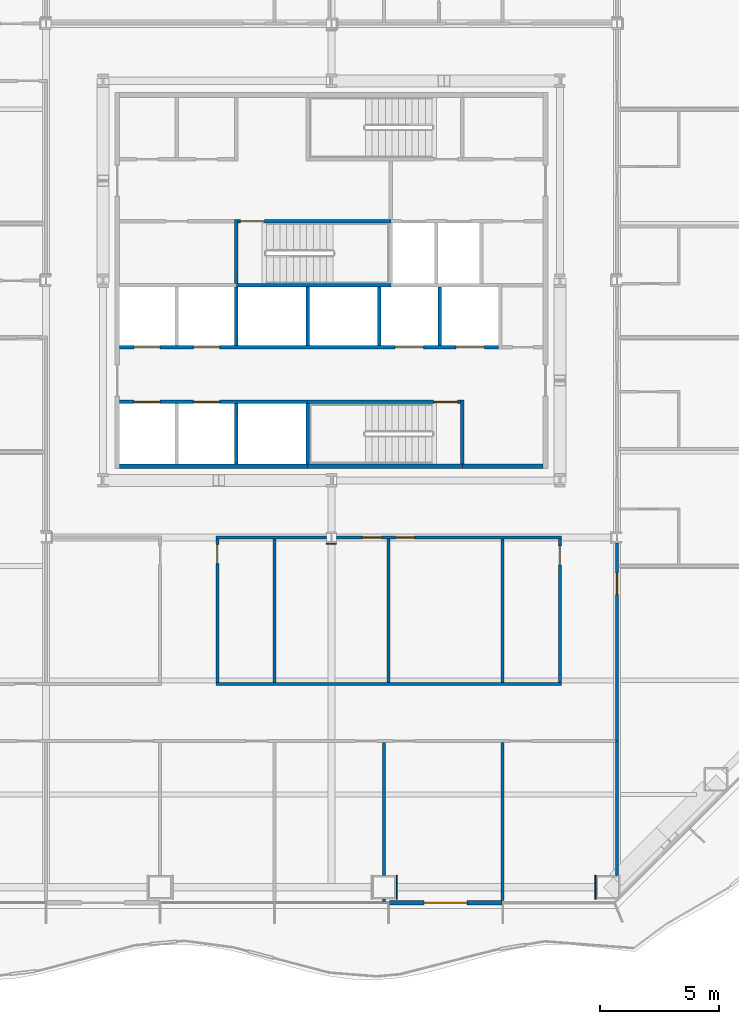
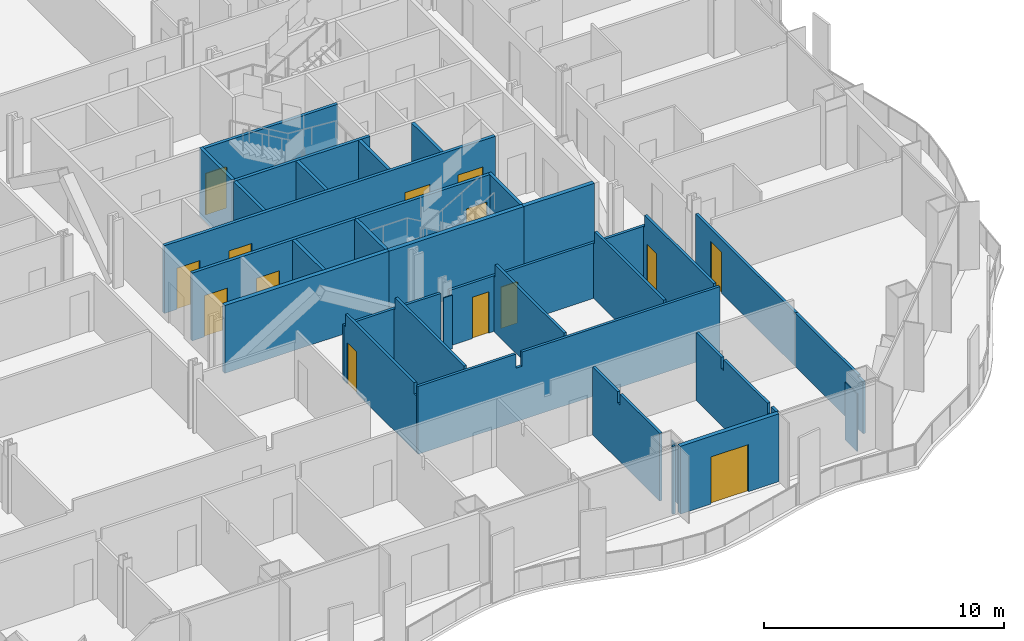
# One storey, part 10 of 21: 33 walls, 14 doors, 14 openings.
"""IFC4 building model written with IfcOpenShell, lengths in metres."""

import ifcopenshell
import ifcopenshell.guid

model = None  # the IFC model being written
_history = None  # IfcOwnerHistory: only IFC2X3 demands one
_inside = {}  # id of a spatial element -> (the spatial element, [elements in it])
_under = {}  # id of a project, library or spatial element -> (it, [spatial elements below it])
_declared = {}  # id of a project -> (the project, [libraries it declares])
_typed = {}  # id of a type object -> (the type object, [elements of that type])
_made_of = {}  # id of a material, layer set ... -> (it, [elements and type objects made of it])


def new_model(schema):
    """Start an empty IFC model of exactly this schema.

    Asked for "IFC4X3", IfcOpenShell would pick the latest addendum, in which some entities
    have other attributes; the version numbers below select the first issue.
    IFC2X3 requires an IfcOwnerHistory on every rooted entity: one is made here for all.
    """
    global model, _history
    if schema == "IFC4X3":
        model = ifcopenshell.file(schema_version=(4, 3, 0, 0))
    else:
        model = ifcopenshell.file(schema=schema)
    _inside.clear()
    _under.clear()
    _declared.clear()
    _typed.clear()
    _made_of.clear()
    _history = None
    if model.schema == "IFC2X3":
        org = make("IfcOrganization", Name="unknown")
        user = make(
            "IfcPersonAndOrganization",
            ThePerson=make("IfcPerson", FamilyName="unknown"),
            TheOrganization=org,
        )
        app = make(
            "IfcApplication",
            ApplicationDeveloper=org,
            Version="unknown",
            ApplicationFullName="unknown",
            ApplicationIdentifier="unknown",
        )
        _history = make(
            "IfcOwnerHistory",
            OwningUser=user,
            OwningApplication=app,
            ChangeAction="ADDED",
            CreationDate=0,
        )
    return model


def make(cls, **values):
    """One entity of the class cls with the attributes given. An attribute that is None is left unset."""
    return model.create_entity(
        cls, **{name: value for name, value in values.items() if value is not None}
    )


def rooted(cls, **values):
    """An entity with a GlobalId (a new one), such as an element, a storey or a relation."""
    return make(cls, GlobalId=ifcopenshell.guid.new(), OwnerHistory=_history, **values)


def si_unit(unit_type, name, prefix=None):
    """IfcSIUnit, for example si_unit("LENGTHUNIT", "METRE", prefix="MILLI")."""
    return make("IfcSIUnit", UnitType=unit_type, Prefix=prefix, Name=name)


def assignment(units):
    """IfcUnitAssignment: the units of a project."""
    return None if units is None else make("IfcUnitAssignment", Units=units)


def point(xyz):
    """IfcCartesianPoint."""
    return None if xyz is None else make("IfcCartesianPoint", Coordinates=xyz)


def direction(xyz):
    """IfcDirection."""
    return None if xyz is None else make("IfcDirection", DirectionRatios=xyz)


def frame(location, z_axis=None, x_axis=None):
    """IfcAxis2Placement3D, a coordinate frame: its origin and axes. An axis left out is left unset."""
    return make(
        "IfcAxis2Placement3D",
        Location=point(location),
        Axis=direction(z_axis),
        RefDirection=direction(x_axis),
    )


def frame_2d(location, x_axis=None):
    """IfcAxis2Placement2D, a coordinate frame in the plane: its origin and x axis."""
    return make(
        "IfcAxis2Placement2D", Location=point(location), RefDirection=direction(x_axis)
    )


def origin():
    """The frame at (0, 0, 0) with its axes left unset."""
    return frame((0.0, 0.0, 0.0))


def place(relative_to, where):
    """IfcLocalPlacement: puts the frame where relative to a parent placement (None: the world)."""
    return make(
        "IfcLocalPlacement", PlacementRelTo=relative_to, RelativePlacement=where
    )


def context(
    kind, dimensions, precision=None, world=None, true_north=None, identifier=None
):
    """IfcGeometricRepresentationContext, for example the 3D "Model" context."""
    return make(
        "IfcGeometricRepresentationContext",
        ContextIdentifier=identifier,
        ContextType=kind,
        CoordinateSpaceDimension=dimensions,
        Precision=precision,
        WorldCoordinateSystem=world,
        TrueNorth=true_north,
    )


def subcontext(parent, identifier, kind, view, scale=None):
    """IfcGeometricRepresentationSubContext, for example "Body" below "Model"."""
    return make(
        "IfcGeometricRepresentationSubContext",
        ContextIdentifier=identifier,
        ContextType=kind,
        ParentContext=parent,
        TargetScale=scale,
        TargetView=view,
    )


def project(units=None, contexts=None):
    """IfcProject with its units and contexts."""
    return rooted(
        "IfcProject",
        Name="project",
        RepresentationContexts=contexts,
        UnitsInContext=assignment(units),
    )


def spatial(cls, under=None, at=None, **own):
    """A site, building, storey or space (cls), placed at a placement, below another one or the project."""
    s = rooted(cls, ObjectPlacement=at, **own)
    if under is not None:
        _under.setdefault(under.id(), (under, []))[1].append(s)
    return s


def polyline(points):
    """IfcPolyline through the points."""
    return make("IfcPolyline", Points=[point(p) for p in points])


def profile(cls, at=None, kind="AREA", **sizes):
    """A parametric profile (cls). Its sizes go by their IFC names, for example OverallWidth=200.0."""
    return make(cls, ProfileType=kind, Position=at, **sizes)


def rectangle(**sizes):
    """IfcRectangleProfileDef."""
    return profile("IfcRectangleProfileDef", **sizes)


def outline(outer, holes=None, kind="AREA"):
    """IfcArbitraryClosedProfileDef: a profile drawn as a closed curve; with holes, ...WithVoids."""
    if holes is None:
        return make("IfcArbitraryClosedProfileDef", ProfileType=kind, OuterCurve=outer)
    return make(
        "IfcArbitraryProfileDefWithVoids",
        ProfileType=kind,
        OuterCurve=outer,
        InnerCurves=holes,
    )


def extrude(swept, where, along, depth):
    """IfcExtrudedAreaSolid: the profile swept, set in the frame where, extruded along a direction by depth."""
    return make(
        "IfcExtrudedAreaSolid",
        SweptArea=swept,
        Position=where,
        ExtrudedDirection=direction(along),
        Depth=depth,
    )


def shape(context_of_items, identifier, shape_type, items):
    """IfcShapeRepresentation: the items that make up one representation, for example the "Body"."""
    return make(
        "IfcShapeRepresentation",
        ContextOfItems=context_of_items,
        RepresentationIdentifier=identifier,
        RepresentationType=shape_type,
        Items=items,
    )


def material(Name=None, Category=None):
    """IfcMaterial."""
    return make("IfcMaterial", Name=Name, Category=Category)


def layer(
    of_material, thickness, ventilated=None, Name=None, Category=None, Priority=None
):
    """IfcMaterialLayer: one layer of a wall or slab, of a material (None: an air gap)."""
    return make(
        "IfcMaterialLayer",
        Material=of_material,
        LayerThickness=thickness,
        IsVentilated=ventilated,
        Name=Name,
        Category=Category,
        Priority=Priority,
    )


def layer_set(layers, Name=None):
    """IfcMaterialLayerSet."""
    return make("IfcMaterialLayerSet", MaterialLayers=layers, LayerSetName=Name)


def made_of(thing, what):
    """Note that an element or type object is made of a material, layer set ...; save() writes the relation."""
    if what is not None:
        _made_of.setdefault(what.id(), (what, []))[1].append(thing)
    return thing


def type_object(cls, material=None, **own):
    """A type object (cls), such as IfcWallType, which elements share."""
    return made_of(rooted(cls, **own), material)


def element(
    cls,
    number,
    at=None,
    inside=None,
    cuts=None,
    type_object=None,
    material=None,
    context=None,
    identifier="Body",
    shape_type=None,
    held_by="IfcProductDefinitionShape",
    body=None,
    shapes=None,
    **own,
):
    """One element of the class cls, such as IfcWall. Its Tag is "e" and its number.

    at: its placement. inside: the storey or other place that contains it. cuts: it is an
    opening in that element (IfcRelVoidsElement). A single representation is given by context,
    identifier, shape_type and body (its items); several are given by shapes. held_by: the class
    of the entity that holds the representations. save() writes the other relations.
    """
    e = rooted(cls, Tag="e%d" % number, ObjectPlacement=at, **own)
    if body is not None:
        shapes = [shape(context, identifier, shape_type, body)]
    if shapes is not None:
        e.Representation = make(held_by, Representations=shapes)
    if inside is not None:
        _inside.setdefault(inside.id(), (inside, []))[1].append(e)
    if cuts is not None:
        rooted(
            "IfcRelVoidsElement", RelatingBuildingElement=cuts, RelatedOpeningElement=e
        )
    if type_object is not None:
        _typed.setdefault(type_object.id(), (type_object, []))[1].append(e)
    return made_of(e, material)


def fill(opening, filler):
    """IfcRelFillsElement: the door or window that sits in an opening."""
    return rooted(
        "IfcRelFillsElement",
        RelatingOpeningElement=opening,
        RelatedBuildingElement=filler,
    )


def aggregate(whole, parts):
    """IfcRelAggregates: a whole, such as a stair, and the parts it consists of."""
    return rooted("IfcRelAggregates", RelatingObject=whole, RelatedObjects=parts)


def save(model, path):
    """Write the relations noted so far, then the file.

    IfcRelAggregates (storeys below a building ...), IfcRelContainedInSpatialStructure (elements
    in a storey), IfcRelDefinesByType, IfcRelAssociatesMaterial and IfcRelDeclares: one each for
    every whole, place, type object, material and project.
    """
    for whole, parts in _under.values():
        aggregate(whole, parts)
    for where, things in _inside.values():
        rooted(
            "IfcRelContainedInSpatialStructure",
            RelatedElements=things,
            RelatingStructure=where,
        )
    for kind, things in _typed.values():
        rooted("IfcRelDefinesByType", RelatedObjects=things, RelatingType=kind)
    for what, things in _made_of.values():
        rooted("IfcRelAssociatesMaterial", RelatedObjects=things, RelatingMaterial=what)
    for by, libraries in _declared.values():
        rooted("IfcRelDeclares", RelatingContext=by, RelatedDefinitions=libraries)
    model.write(path)


model = new_model("IFC4")

# Units and contexts
model_context = context("Model", 3, precision=1e-05, world=origin(), true_north=direction((0.0, 1.0)))
body_context = subcontext(model_context, "Body", "Model", "MODEL_VIEW")
ifc_project = project(units=[si_unit("LENGTHUNIT", "METRE"), si_unit("AREAUNIT", "SQUARE_METRE"), si_unit("VOLUMEUNIT", "CUBIC_METRE"), si_unit("PLANEANGLEUNIT", "RADIAN"), si_unit("MASSUNIT", "GRAM", prefix="KILO")], contexts=[model_context])

# Site, building, storey
site_placement = place(None, origin())
site = spatial("IfcSite", under=ifc_project, at=site_placement, CompositionType="ELEMENT")
building_placement = place(site_placement, origin())
building = spatial("IfcBuilding", under=site, at=building_placement, Name="Cairn Pilgrim Tower", CompositionType="ELEMENT")
storey_placement = place(building_placement, frame((0.0, 0.0, 58.199951171875)))
storey = spatial("IfcBuildingStorey", under=building, at=storey_placement, Name="L12", CompositionType="ELEMENT", Elevation=58.199951171875)

# Wall, opening, door
ifc_material_1 = material(Name="Bronze anodised aluminium insulated sandwich panel with mineral wool fill", Category="aluminium")
ifc_layer_1 = layer(ifc_material_1, 0.199951171875)
ifc_layer_set_1 = layer_set([ifc_layer_1], Name="BRONZE INFILL FRAME WALL 200")
wall_type_1 = type_object("IfcWallType", Name="BRONZE INFILL FRAME WALL 200", PredefinedType="NOTDEFINED", material=ifc_layer_set_1)
wall_1_placement = place(storey_placement, frame((9.6298828125, -23.75, 0.0), z_axis=(0.0, 0.0, 1.0), x_axis=(1.0, 0.0, 0.0)))
wall_1 = element("IfcWall", 1, at=wall_1_placement, inside=storey, type_object=wall_type_1, Name="Bronze infill frame wall IW-S7", PredefinedType="NOTDEFINED", context=body_context, shape_type="SweptSolid", body=[
    extrude(rectangle(XDim=4.740234375, YDim=0.199951171875, at=frame_2d((2.3701171875, 0.0))), origin(), (0.0, 0.0, 1.0), 3.449951171875),
])
opening_1_placement = place(wall_1_placement, frame((1.469970703125, 0.0, 0.0)))
opening_1 = element("IfcOpeningElement", 2, at=opening_1_placement, cuts=wall_1, Name="Opening 1207B", PredefinedType="OPENING", context=body_context, shape_type="SweptSolid", body=[
    extrude(rectangle(XDim=1.800048828125, YDim=2.39990234375, at=frame_2d((0.89990234375, 1.199951171875))), frame((0.0, 0.10986328125, 0.0), z_axis=(0.0, -1.0, 0.0), x_axis=(1.0, 0.0, 0.0)), (0.0, 0.0, 1.0), 0.219970703125),
])
ifc_material_2 = material(Name="Bronze anodised aluminium frame with tinted low-E glass", Category="aluminium")
door_type_1 = type_object("IfcDoorType", Name="BALCONY SLIDING DOOR 1800x2400", OperationType="DOUBLE_DOOR_SLIDING", PredefinedType="DOOR", material=ifc_material_2)
door_1_placement = place(opening_1_placement, origin())
door_1 = element("IfcDoor", 3, at=door_1_placement, inside=storey, type_object=door_type_1, Name="Balcony sliding door 1207B", OperationType="SINGLE_SWING_LEFT", OverallHeight=2.39990234375, OverallWidth=1.800048828125, PredefinedType="DOOR", context=body_context, shape_type="SweptSolid", body=[
    extrude(rectangle(XDim=1.800048828125, YDim=2.39990234375, at=frame_2d((0.89990234375, 1.199951171875))), frame((0.0, 0.02490234375, 0.0), z_axis=(0.0, -1.0, 0.0), x_axis=(1.0, 0.0, 0.0)), (0.0, 0.0, 1.0), 0.050048828125),
])
fill(opening_1, door_1)

# Walls
ifc_material_3 = material(Name="Concrete C32/40", Category="concrete")
ifc_layer_2 = layer(ifc_material_3, 0.199951171875)
ifc_layer_set_2 = layer_set([ifc_layer_2], Name="CORE OUTER WALL 200 EI 120")
wall_type_2 = type_object("IfcWallType", Name="CORE OUTER WALL 200 EI 120", PredefinedType="SOLIDWALL", material=ifc_layer_set_2)
wall_2_placement = place(storey_placement, frame((-1.699951171875, -5.39990234375, 0.0), z_axis=(0.0, 0.0, 1.0), x_axis=(1.0, 0.0, 0.0)))
element("IfcWall", 4, at=wall_2_placement, inside=storey, type_object=wall_type_2, Name="CW:L12:H01-1", PredefinedType="SOLIDWALL", context=body_context, shape_type="SweptSolid", body=[
    extrude(rectangle(XDim=7.89990234375, YDim=0.199951171875, at=frame_2d((3.949951171875, 0.0))), origin(), (0.0, 0.0, 1.0), 3.449951171875),
])
wall_3_placement = place(storey_placement, frame((12.699951171875, -5.39990234375, 0.0), z_axis=(0.0, 0.0, 1.0), x_axis=(1.0, 0.0, 0.0)))
element("IfcWall", 5, at=wall_3_placement, inside=storey, type_object=wall_type_2, Name="CW:L12:H01-3", PredefinedType="SOLIDWALL", context=body_context, shape_type="SweptSolid", body=[
    extrude(rectangle(XDim=3.400146484375, YDim=0.199951171875, at=frame_2d((1.7001953125, 0.0))), origin(), (0.0, 0.0, 1.0), 3.449951171875),
])

# Wall, openings, doors
ifc_layer_3 = layer(ifc_material_3, 0.14990234375)
ifc_layer_set_3 = layer_set([ifc_layer_3], Name="CORE SHAFT WALL 150 EI 120")
wall_type_3 = type_object("IfcWallType", Name="CORE SHAFT WALL 150 EI 120", PredefinedType="SOLIDWALL", material=ifc_layer_set_3)
wall_4_placement = place(storey_placement, frame((-1.699951171875, -2.699951171875, 0.0), z_axis=(0.0, 0.0, 1.0), x_axis=(1.0, 0.0, 0.0)))
wall_4 = element("IfcWall", 6, at=wall_4_placement, inside=storey, type_object=wall_type_3, Name="CW:L12:H02-1", PredefinedType="SOLIDWALL", context=body_context, shape_type="SweptSolid", body=[
    extrude(rectangle(XDim=7.89990234375, YDim=0.14990234375, at=frame_2d((3.949951171875, 0.0))), origin(), (0.0, 0.0, 1.0), 3.449951171875),
])
opening_2_placement = place(wall_4_placement, frame((0.60009765625, 0.0, 0.0)))
opening_2 = element("IfcOpeningElement", 7, at=opening_2_placement, cuts=wall_4, Name="Opening LD-LR1", PredefinedType="OPENING", context=body_context, shape_type="SweptSolid", body=[
    extrude(rectangle(XDim=1.10009765625, YDim=2.10009765625, at=frame_2d((0.550048828125, 1.050048828125))), frame((0.0, 0.0849609375, 0.0), z_axis=(0.0, -1.0, 0.0), x_axis=(1.0, 0.0, 0.0)), (0.0, 0.0, 1.0), 0.169921875),
])
opening_3_placement = place(wall_4_placement, frame((3.10009765625, 0.0, 0.0)))
opening_3 = element("IfcOpeningElement", 8, at=opening_3_placement, cuts=wall_4, Name="Opening LD-LR2", PredefinedType="OPENING", context=body_context, shape_type="SweptSolid", body=[
    extrude(rectangle(XDim=1.10009765625, YDim=2.10009765625, at=frame_2d((0.550048828125, 1.050048828125))), frame((0.0, 0.0849609375, 0.0), z_axis=(0.0, -1.0, 0.0), x_axis=(1.0, 0.0, 0.0)), (0.0, 0.0, 1.0), 0.169921875),
])
ifc_material_4 = material(Name="Stainless steel", Category="steel")
door_type_2 = type_object("IfcDoorType", Name="LIFT LANDING DOOR 1100x2100", OperationType="DOUBLE_DOOR_SLIDING", PredefinedType="DOOR", material=ifc_material_4)
door_2_placement = place(opening_2_placement, origin())
door_2 = element("IfcDoor", 9, at=door_2_placement, inside=storey, type_object=door_type_2, Name="LANDING DOOR LR1", OperationType="DOUBLE_DOOR_SLIDING", OverallHeight=2.10009765625, OverallWidth=1.10009765625, PredefinedType="DOOR", context=body_context, shape_type="SweptSolid", body=[
    extrude(rectangle(XDim=1.10009765625, YDim=2.10009765625, at=frame_2d((0.550048828125, 1.050048828125))), frame((0.0, 0.02490234375, 0.0), z_axis=(0.0, -1.0, 0.0), x_axis=(1.0, 0.0, 0.0)), (0.0, 0.0, 1.0), 0.050048828125),
])
fill(opening_2, door_2)
door_3_placement = place(opening_3_placement, origin())
door_3 = element("IfcDoor", 10, at=door_3_placement, inside=storey, type_object=door_type_2, Name="LANDING DOOR LR2", OperationType="DOUBLE_DOOR_SLIDING", OverallHeight=2.10009765625, OverallWidth=1.10009765625, PredefinedType="DOOR", context=body_context, shape_type="SweptSolid", body=[
    extrude(rectangle(XDim=1.10009765625, YDim=2.10009765625, at=frame_2d((0.550048828125, 1.050048828125))), frame((0.0, 0.02490234375, 0.0), z_axis=(0.0, -1.0, 0.0), x_axis=(1.0, 0.0, 0.0)), (0.0, 0.0, 1.0), 0.050048828125),
])
fill(opening_3, door_3)

wall_5_placement = place(storey_placement, frame((-1.699951171875, -0.39990234375, 0.0), z_axis=(0.0, 0.0, 1.0), x_axis=(1.0, 0.0, 0.0)))
wall_5 = element("IfcWall", 11, at=wall_5_placement, inside=storey, type_object=wall_type_3, Name="CW:L12:H03", PredefinedType="SOLIDWALL", context=body_context, shape_type="SweptSolid", body=[
    extrude(rectangle(XDim=15.925048828125, YDim=0.14990234375, at=frame_2d((7.96240234375, 0.0))), origin(), (0.0, 0.0, 1.0), 3.449951171875),
])
opening_4_placement = place(wall_5_placement, frame((0.60009765625, 0.0, 0.0)))
opening_4 = element("IfcOpeningElement", 12, at=opening_4_placement, cuts=wall_5, Name="Opening LD-LR3", PredefinedType="OPENING", context=body_context, shape_type="SweptSolid", body=[
    extrude(rectangle(XDim=1.10009765625, YDim=2.10009765625, at=frame_2d((0.550048828125, 1.050048828125))), frame((0.0, 0.0849609375, 0.0), z_axis=(0.0, -1.0, 0.0), x_axis=(1.0, 0.0, 0.0)), (0.0, 0.0, 1.0), 0.169921875),
])
opening_5_placement = place(wall_5_placement, frame((3.10009765625, 0.0, 0.0)))
opening_5 = element("IfcOpeningElement", 13, at=opening_5_placement, cuts=wall_5, Name="Opening LD-LR4", PredefinedType="OPENING", context=body_context, shape_type="SweptSolid", body=[
    extrude(rectangle(XDim=1.10009765625, YDim=2.10009765625, at=frame_2d((0.550048828125, 1.050048828125))), frame((0.0, 0.0849609375, 0.0), z_axis=(0.0, -1.0, 0.0), x_axis=(1.0, 0.0, 0.0)), (0.0, 0.0, 1.0), 0.169921875),
])
opening_6_placement = place(wall_5_placement, frame((11.574951171875, 0.0, 0.0)))
opening_6 = element("IfcOpeningElement", 14, at=opening_6_placement, cuts=wall_5, Name="Opening LD-SV1", PredefinedType="OPENING", context=body_context, shape_type="SweptSolid", body=[
    extrude(rectangle(XDim=1.199951171875, YDim=2.10009765625, at=frame_2d((0.60009765625, 1.050048828125))), frame((0.0, 0.0849609375, 0.0), z_axis=(0.0, -1.0, 0.0), x_axis=(1.0, 0.0, 0.0)), (0.0, 0.0, 1.0), 0.169921875),
])
opening_7_placement = place(wall_5_placement, frame((14.125, 0.0, 0.0)))
opening_7 = element("IfcOpeningElement", 15, at=opening_7_placement, cuts=wall_5, Name="Opening LD-SV2", PredefinedType="OPENING", context=body_context, shape_type="SweptSolid", body=[
    extrude(rectangle(XDim=1.199951171875, YDim=2.10009765625, at=frame_2d((0.60009765625, 1.050048828125))), frame((0.0, 0.0849609375, 0.0), z_axis=(0.0, -1.0, 0.0), x_axis=(1.0, 0.0, 0.0)), (0.0, 0.0, 1.0), 0.169921875),
])
door_4_placement = place(opening_4_placement, origin())
door_4 = element("IfcDoor", 16, at=door_4_placement, inside=storey, type_object=door_type_2, Name="LANDING DOOR LR3", OperationType="DOUBLE_DOOR_SLIDING", OverallHeight=2.10009765625, OverallWidth=1.10009765625, PredefinedType="DOOR", context=body_context, shape_type="SweptSolid", body=[
    extrude(rectangle(XDim=1.10009765625, YDim=2.10009765625, at=frame_2d((0.550048828125, 1.050048828125))), frame((0.0, 0.02490234375, 0.0), z_axis=(0.0, -1.0, 0.0), x_axis=(1.0, 0.0, 0.0)), (0.0, 0.0, 1.0), 0.050048828125),
])
fill(opening_4, door_4)
door_5_placement = place(opening_5_placement, origin())
door_5 = element("IfcDoor", 17, at=door_5_placement, inside=storey, type_object=door_type_2, Name="LANDING DOOR LR4", OperationType="DOUBLE_DOOR_SLIDING", OverallHeight=2.10009765625, OverallWidth=1.10009765625, PredefinedType="DOOR", context=body_context, shape_type="SweptSolid", body=[
    extrude(rectangle(XDim=1.10009765625, YDim=2.10009765625, at=frame_2d((0.550048828125, 1.050048828125))), frame((0.0, 0.02490234375, 0.0), z_axis=(0.0, -1.0, 0.0), x_axis=(1.0, 0.0, 0.0)), (0.0, 0.0, 1.0), 0.050048828125),
])
fill(opening_5, door_5)
door_type_3 = type_object("IfcDoorType", Name="LIFT LANDING DOOR 1200x2100", OperationType="DOUBLE_DOOR_SLIDING", PredefinedType="DOOR", material=ifc_material_4)
door_6_placement = place(opening_6_placement, origin())
door_6 = element("IfcDoor", 18, at=door_6_placement, inside=storey, type_object=door_type_3, Name="LANDING DOOR SV1", OperationType="DOUBLE_DOOR_SLIDING", OverallHeight=2.10009765625, OverallWidth=1.199951171875, PredefinedType="DOOR", context=body_context, shape_type="SweptSolid", body=[
    extrude(rectangle(XDim=1.199951171875, YDim=2.10009765625, at=frame_2d((0.60009765625, 1.050048828125))), frame((0.0, 0.02490234375, 0.0), z_axis=(0.0, -1.0, 0.0), x_axis=(1.0, 0.0, 0.0)), (0.0, 0.0, 1.0), 0.050048828125),
])
fill(opening_6, door_6)
door_7_placement = place(opening_7_placement, origin())
door_7 = element("IfcDoor", 19, at=door_7_placement, inside=storey, type_object=door_type_3, Name="LANDING DOOR SV2", OperationType="DOUBLE_DOOR_SLIDING", OverallHeight=2.10009765625, OverallWidth=1.199951171875, PredefinedType="DOOR", context=body_context, shape_type="SweptSolid", body=[
    extrude(rectangle(XDim=1.199951171875, YDim=2.10009765625, at=frame_2d((0.60009765625, 1.050048828125))), frame((0.0, 0.02490234375, 0.0), z_axis=(0.0, -1.0, 0.0), x_axis=(1.0, 0.0, 0.0)), (0.0, 0.0, 1.0), 0.050048828125),
])
fill(opening_7, door_7)

# Walls
wall_6_placement = place(storey_placement, frame((3.199951171875, -5.300048828125, 0.0), z_axis=(0.0, 0.0, 1.0), x_axis=(0.0, 1.0, 0.0)))
element("IfcWall", 20, at=wall_6_placement, inside=storey, type_object=wall_type_3, Name="CW:L12:V16", PredefinedType="SOLIDWALL", context=body_context, shape_type="SweptSolid", body=[
    extrude(rectangle(XDim=2.525146484375, YDim=0.14990234375, at=frame_2d((1.2626953125, 0.0))), origin(), (0.0, 0.0, 1.0), 3.449951171875),
])
for number, where, z_axis, x_axis, name in (
    (21, (3.199951171875, -0.324951171875, 0.0), (0.0, 0.0, 1.0), (0.0, 1.0, 0.0), "CW:L12:V17"),
    (22, (6.199951171875, -0.324951171875, 0.0), (0.0, 0.0, 1.0), (0.0, 1.0, 0.0), "CW:L12:V21"),
    (23, (9.199951171875, -0.324951171875, 0.0), (0.0, 0.0, 1.0), (0.0, 1.0, 0.0), "CW:L12:V23"),
    (24, (11.75, -0.324951171875, 0.0), (0.0, 0.0, 1.0), (0.0, 1.0, 0.0), "CW:L12:V27"),
):
    element("IfcWall", number, at=place(storey_placement, frame(where, z_axis=z_axis, x_axis=x_axis)), inside=storey, type_object=wall_type_3, Name=name, PredefinedType="SOLIDWALL", context=body_context, shape_type="SweptSolid", body=[
        extrude(rectangle(XDim=2.449951171875, YDim=0.14990234375, at=frame_2d((1.22509765625, 0.0))), origin(), (0.0, 0.0, 1.0), 3.449951171875),
    ])
ifc_material_5 = material(Name="Gypsum partition")
ifc_layer_4 = layer(ifc_material_5, 0.125)
ifc_layer_set_4 = layer_set([ifc_layer_4], Name="PARTITION 125 DRYWALL EI 60")
wall_type_4 = type_object("IfcWallType", Name="PARTITION 125 DRYWALL EI 60", PredefinedType="PARTITIONING", material=ifc_layer_set_4)
wall_7_placement = place(storey_placement, frame((9.4140625, -23.702880859375, 0.0), z_axis=(0.0, 0.0, 1.0), x_axis=(0.0, 1.0, 0.0)))
element("IfcWall", 25, at=wall_7_placement, inside=storey, type_object=wall_type_4, Name="PARTITION W005", PredefinedType="PARTITIONING", context=body_context, shape_type="SweptSolid", body=[
    extrude(rectangle(XDim=0.102783203125, YDim=0.125, at=frame_2d((0.05126953125, 0.0))), origin(), (0.0, 0.0, 1.0), 3.449951171875),
])
wall_8_placement = place(storey_placement, frame((14.39990234375, -23.64990234375, 0.0), z_axis=(0.0, 0.0, 1.0), x_axis=(0.0, 1.0, 0.0)))
element("IfcWall", 26, at=wall_8_placement, inside=storey, type_object=wall_type_4, Name="PARTITION W006", PredefinedType="PARTITIONING", context=body_context, shape_type="SweptSolid", body=[
    extrude(outline(polyline([(0.0, 0.0), (6.637451171875, 0.0), (6.637451171875, 3.449951171875), (4.554931640625, 3.449951171875), (4.552978515625, 2.880126953125), (4.344970703125, 2.880126953125), (4.343017578125, 3.449951171875), (0.699951171875, 3.449951171875), (0.697998046875, 2.929931640625), (0.39990234375, 2.929931640625), (0.39794921875, 3.449951171875), (0.0, 3.449951171875), (0.0, 0.0)])), frame((0.0, 0.0625, 0.0), z_axis=(0.0, -1.0, 0.0), x_axis=(1.0, 0.0, 0.0)), (0.0, 0.0, 1.0), 0.125),
])
wall_9_placement = place(storey_placement, frame((9.4140625, -22.60009765625, 0.0), z_axis=(0.0, 0.0, 1.0), x_axis=(0.0, 1.0, 0.0)))
element("IfcWall", 27, at=wall_9_placement, inside=storey, type_object=wall_type_4, Name="PARTITION W009", PredefinedType="PARTITIONING", context=body_context, shape_type="SweptSolid", body=[
    extrude(outline(polyline([(0.0, 0.0), (5.587646484375, 0.0), (5.58740234375, 3.449951171875), (3.5048828125, 3.449951171875), (3.5029296875, 2.880126953125), (3.294921875, 2.880126953125), (3.29296875, 3.449951171875), (0.0, 3.449951171875), (0.0, 0.0)])), frame((0.0, 0.0625, 0.0), z_axis=(0.0, -1.0, 0.0), x_axis=(1.0, 0.0, 0.0)), (0.0, 0.0, 1.0), 0.125),
])
wall_10_placement = place(storey_placement, frame((19.199951171875, -22.60009765625, 0.0), z_axis=(0.0, 0.0, 1.0), x_axis=(0.0, 1.0, 0.0)))
element("IfcWall", 28, at=wall_10_placement, inside=storey, type_object=wall_type_4, Name="PARTITION W010", PredefinedType="PARTITIONING", context=body_context, shape_type="SweptSolid", body=[
    extrude(outline(polyline([(0.0, 0.0), (5.650146484375, 0.0), (5.64990234375, 2.72998046875), (0.430419921875, 2.72998046875), (0.42822265625, 2.630126953125), (0.0, 2.630126953125), (0.0, 0.0)])), frame((0.0, 0.0625, 0.0), z_axis=(0.0, -1.0, 0.0), x_axis=(1.0, 0.0, 0.0)), (0.0, 0.0, 1.0), 0.125),
])

# Wall, opening, door
wall_11_placement = place(storey_placement, frame((19.199951171875, -16.949951171875, 0.0), z_axis=(0.0, 0.0, 1.0), x_axis=(0.0, 1.0, 0.0)))
wall_11 = element("IfcWall", 29, at=wall_11_placement, inside=storey, type_object=wall_type_4, Name="PARTITION W015", PredefinedType="PARTITIONING", context=body_context, shape_type="SweptSolid", body=[
    extrude(rectangle(XDim=8.31298828125, YDim=0.125, at=frame_2d((4.156494140625, 0.0))), origin(), (0.0, 0.0, 1.0), 2.72998046875),
])
opening_8_placement = place(wall_11_placement, frame((6.14990234375, 0.0, 0.0)))
opening_8 = element("IfcOpeningElement", 30, at=opening_8_placement, cuts=wall_11, Name="Opening 1222", PredefinedType="OPENING", context=body_context, shape_type="SweptSolid", body=[
    extrude(rectangle(XDim=0.89990234375, YDim=2.10009765625, at=frame_2d((0.449951171875, 1.050048828125))), frame((0.0, 0.072509765625, 0.0), z_axis=(0.0, -1.0, 0.0), x_axis=(1.0, 0.0, 0.0)), (0.0, 0.0, 1.0), 0.14501953125),
])
ifc_material_6 = material(Name="Steel-faced fire door leaf", Category="steel")
door_type_4 = type_object("IfcDoorType", Name="FIRE DOOR 900x2100 FD30S", OperationType="NOTDEFINED", PredefinedType="DOOR", material=ifc_material_6)
door_8_placement = place(opening_8_placement, frame((0.89990234375, 0.0, 0.0), z_axis=(0.0, 0.0, 1.0), x_axis=(-1.0, 0.0, 0.0)))
door_8 = element("IfcDoor", 31, at=door_8_placement, inside=storey, type_object=door_type_4, Name="DOOR 1222", OperationType="SINGLE_SWING_LEFT", OverallHeight=2.10009765625, OverallWidth=0.89990234375, PredefinedType="DOOR", context=body_context, shape_type="SweptSolid", body=[
    extrude(rectangle(XDim=0.89990234375, YDim=2.10009765625, at=frame_2d((0.449951171875, 1.050048828125))), frame((0.0, 0.02490234375, 0.0), z_axis=(0.0, -1.0, 0.0), x_axis=(1.0, 0.0, 0.0)), (0.0, 0.0, 1.0), 0.050048828125),
])
fill(opening_8, door_8)

# Wall
wall_12_placement = place(storey_placement, frame((2.33740234375, -14.550048828125, 0.0), z_axis=(0.0, 0.0, 1.0), x_axis=(1.0, 0.0, 0.0)))
element("IfcWall", 32, at=wall_12_placement, inside=storey, type_object=wall_type_4, Name="PARTITION W017", PredefinedType="PARTITIONING", context=body_context, shape_type="SweptSolid", body=[
    extrude(outline(polyline([(0.0, 0.0), (14.525146484375, 0.0), (14.52490234375, 3.449951171875), (5.012451171875, 3.449951171875), (5.010498046875, 2.72998046875), (4.71240234375, 2.72998046875), (4.71044921875, 3.449951171875), (0.0, 3.449951171875), (0.0, 0.0)])), frame((0.0, 0.0625, 0.0), z_axis=(0.0, -1.0, 0.0), x_axis=(1.0, 0.0, 0.0)), (0.0, 0.0, 1.0), 0.125),
])

# Wall, opening, door
wall_13_placement = place(storey_placement, frame((2.39990234375, -14.487548828125, 0.0), z_axis=(0.0, 0.0, 1.0), x_axis=(0.0, 1.0, 0.0)))
wall_13 = element("IfcWall", 33, at=wall_13_placement, inside=storey, type_object=wall_type_4, Name="PARTITION W022", PredefinedType="PARTITIONING", context=body_context, shape_type="SweptSolid", body=[
    extrude(outline(polyline([(0.0, 0.0), (6.025146484375, 0.0), (6.02490234375, 2.830078125), (5.9375, 2.830078125), (5.935546875, 3.449951171875), (0.1923828125, 3.449951171875), (0.1904296875, 2.880126953125), (0.0, 2.880126953125), (0.0, 0.0)])), frame((0.0, 0.0625, 0.0), z_axis=(0.0, -1.0, 0.0), x_axis=(1.0, 0.0, 0.0)), (0.0, 0.0, 1.0), 0.125),
])
opening_9_placement = place(wall_13_placement, frame((4.987548828125, 0.0, 0.0)))
opening_9 = element("IfcOpeningElement", 34, at=opening_9_placement, cuts=wall_13, Name="Opening 1235", PredefinedType="OPENING", context=body_context, shape_type="SweptSolid", body=[
    extrude(rectangle(XDim=0.800048828125, YDim=2.10009765625, at=frame_2d((0.39990234375, 1.050048828125))), frame((0.0, 0.072509765625, 0.0), z_axis=(0.0, -1.0, 0.0), x_axis=(1.0, 0.0, 0.0)), (0.0, 0.0, 1.0), 0.14501953125),
])
door_type_5 = type_object("IfcDoorType", Name="FIRE DOOR 800x2100 FD30S", OperationType="NOTDEFINED", PredefinedType="DOOR", material=ifc_material_6)
door_9_placement = place(opening_9_placement, frame((0.800048828125, 0.0, 0.0), z_axis=(0.0, 0.0, 1.0), x_axis=(-1.0, 0.0, 0.0)))
door_9 = element("IfcDoor", 35, at=door_9_placement, inside=storey, type_object=door_type_5, Name="DOOR 1235", OperationType="SINGLE_SWING_RIGHT", OverallHeight=2.10009765625, OverallWidth=0.800048828125, PredefinedType="DOOR", context=body_context, shape_type="SweptSolid", body=[
    extrude(rectangle(XDim=0.800048828125, YDim=2.10009765625, at=frame_2d((0.39990234375, 1.050048828125))), frame((0.0, 0.02490234375, 0.0), z_axis=(0.0, -1.0, 0.0), x_axis=(1.0, 0.0, 0.0)), (0.0, 0.0, 1.0), 0.050048828125),
])
fill(opening_9, door_9)

# Walls
for number, where, z_axis, x_axis, name in (
    (36, (4.800048828125, -14.487548828125, 0.0), (0.0, 0.0, 1.0), (0.0, 1.0, 0.0), "PARTITION W023"),
    (37, (9.60009765625, -14.487548828125, 0.0), (0.0, 0.0, 1.0), (0.0, 1.0, 0.0), "PARTITION W024"),
    (38, (14.39990234375, -14.487548828125, 0.0), (0.0, 0.0, 1.0), (0.0, 1.0, 0.0), "PARTITION W025"),
):
    element("IfcWall", number, at=place(storey_placement, frame(where, z_axis=z_axis, x_axis=x_axis)), inside=storey, type_object=wall_type_4, Name=name, PredefinedType="PARTITIONING", context=body_context, shape_type="SweptSolid", body=[
        extrude(outline(polyline([(0.0, 0.0), (6.025146484375, 0.0), (6.02490234375, 2.830078125), (5.9375, 2.830078125), (5.935546875, 3.449951171875), (0.1923828125, 3.449951171875), (0.1904296875, 2.880126953125), (0.0, 2.880126953125), (0.0, 0.0)])), frame((0.0, 0.0625, 0.0), z_axis=(0.0, -1.0, 0.0), x_axis=(1.0, 0.0, 0.0)), (0.0, 0.0, 1.0), 0.125),
    ])

# Wall, opening, door
wall_14_placement = place(storey_placement, frame((16.800048828125, -14.487548828125, 0.0), z_axis=(0.0, 0.0, 1.0), x_axis=(0.0, 1.0, 0.0)))
wall_14 = element("IfcWall", 39, at=wall_14_placement, inside=storey, type_object=wall_type_4, Name="PARTITION W026", PredefinedType="PARTITIONING", context=body_context, shape_type="SweptSolid", body=[
    extrude(outline(polyline([(0.0, 0.0), (6.025146484375, 0.0), (6.02490234375, 2.830078125), (5.9375, 2.830078125), (5.935546875, 3.449951171875), (0.1923828125, 3.449951171875), (0.1904296875, 2.880126953125), (0.0, 2.880126953125), (0.0, 0.0)])), frame((0.0, 0.0625, 0.0), z_axis=(0.0, -1.0, 0.0), x_axis=(1.0, 0.0, 0.0)), (0.0, 0.0, 1.0), 0.125),
])
opening_10_placement = place(wall_14_placement, frame((4.9375, 0.0, 0.0)))
opening_10 = element("IfcOpeningElement", 40, at=opening_10_placement, cuts=wall_14, Name="Opening 1238", PredefinedType="OPENING", context=body_context, shape_type="SweptSolid", body=[
    extrude(rectangle(XDim=0.800048828125, YDim=2.10009765625, at=frame_2d((0.39990234375, 1.050048828125))), frame((0.0, 0.072509765625, 0.0), z_axis=(0.0, -1.0, 0.0), x_axis=(1.0, 0.0, 0.0)), (0.0, 0.0, 1.0), 0.14501953125),
])
door_10_placement = place(opening_10_placement, origin())
door_10 = element("IfcDoor", 41, at=door_10_placement, inside=storey, type_object=door_type_5, Name="DOOR 1238", OperationType="SINGLE_SWING_LEFT", OverallHeight=2.10009765625, OverallWidth=0.800048828125, PredefinedType="DOOR", context=body_context, shape_type="SweptSolid", body=[
    extrude(rectangle(XDim=0.800048828125, YDim=2.10009765625, at=frame_2d((0.39990234375, 1.050048828125))), frame((0.0, 0.02490234375, 0.0), z_axis=(0.0, -1.0, 0.0), x_axis=(1.0, 0.0, 0.0)), (0.0, 0.0, 1.0), 0.050048828125),
])
fill(opening_10, door_10)

# Wall
wall_15_placement = place(storey_placement, frame((2.33740234375, -8.39990234375, 0.0), z_axis=(0.0, 0.0, 1.0), x_axis=(1.0, 0.0, 0.0)))
element("IfcWall", 42, at=wall_15_placement, inside=storey, type_object=wall_type_4, Name="PARTITION W032", PredefinedType="PARTITIONING", context=body_context, shape_type="SweptSolid", body=[
    extrude(rectangle(XDim=4.650634765625, YDim=0.125, at=frame_2d((2.3251953125, 0.0))), origin(), (0.0, 0.0, 1.0), 2.830078125),
])

# Wall, openings, doors
wall_16_placement = place(storey_placement, frame((7.412109375, -8.39990234375, 0.0), z_axis=(0.0, 0.0, 1.0), x_axis=(1.0, 0.0, 0.0)))
wall_16 = element("IfcWall", 43, at=wall_16_placement, inside=storey, type_object=wall_type_4, Name="PARTITION W033", PredefinedType="PARTITIONING", context=body_context, shape_type="SweptSolid", body=[
    extrude(rectangle(XDim=9.450439453125, YDim=0.125, at=frame_2d((4.72509765625, 0.0))), origin(), (0.0, 0.0, 1.0), 2.830078125),
])
opening_11_placement = place(wall_16_placement, frame((1.087890625, 0.0, 0.0)))
opening_11 = element("IfcOpeningElement", 44, at=opening_11_placement, cuts=wall_16, Name="Opening 1236", PredefinedType="OPENING", context=body_context, shape_type="SweptSolid", body=[
    extrude(rectangle(XDim=0.800048828125, YDim=2.10009765625, at=frame_2d((0.39990234375, 1.050048828125))), frame((0.0, 0.072509765625, 0.0), z_axis=(0.0, -1.0, 0.0), x_axis=(1.0, 0.0, 0.0)), (0.0, 0.0, 1.0), 0.14501953125),
])
opening_12_placement = place(wall_16_placement, frame((2.488037109375, 0.0, 0.0)))
opening_12 = element("IfcOpeningElement", 45, at=opening_12_placement, cuts=wall_16, Name="Opening 1237", PredefinedType="OPENING", context=body_context, shape_type="SweptSolid", body=[
    extrude(rectangle(XDim=0.800048828125, YDim=2.10009765625, at=frame_2d((0.39990234375, 1.050048828125))), frame((0.0, 0.072509765625, 0.0), z_axis=(0.0, -1.0, 0.0), x_axis=(1.0, 0.0, 0.0)), (0.0, 0.0, 1.0), 0.14501953125),
])
door_11_placement = place(opening_11_placement, frame((0.800048828125, 0.0, 0.0), z_axis=(0.0, 0.0, 1.0), x_axis=(-1.0, 0.0, 0.0)))
door_11 = element("IfcDoor", 46, at=door_11_placement, inside=storey, type_object=door_type_5, Name="DOOR 1236", OperationType="SINGLE_SWING_LEFT", OverallHeight=2.10009765625, OverallWidth=0.800048828125, PredefinedType="DOOR", context=body_context, shape_type="SweptSolid", body=[
    extrude(rectangle(XDim=0.800048828125, YDim=2.10009765625, at=frame_2d((0.39990234375, 1.050048828125))), frame((0.0, 0.02490234375, 0.0), z_axis=(0.0, -1.0, 0.0), x_axis=(1.0, 0.0, 0.0)), (0.0, 0.0, 1.0), 0.050048828125),
])
fill(opening_11, door_11)
door_12_placement = place(opening_12_placement, frame((0.800048828125, 0.0, 0.0), z_axis=(0.0, 0.0, 1.0), x_axis=(-1.0, 0.0, 0.0)))
door_12 = element("IfcDoor", 47, at=door_12_placement, inside=storey, type_object=door_type_5, Name="DOOR 1237", OperationType="SINGLE_SWING_RIGHT", OverallHeight=2.10009765625, OverallWidth=0.800048828125, PredefinedType="DOOR", context=body_context, shape_type="SweptSolid", body=[
    extrude(rectangle(XDim=0.800048828125, YDim=2.10009765625, at=frame_2d((0.39990234375, 1.050048828125))), frame((0.0, 0.02490234375, 0.0), z_axis=(0.0, -1.0, 0.0), x_axis=(1.0, 0.0, 0.0)), (0.0, 0.0, 1.0), 0.050048828125),
])
fill(opening_12, door_12)

# Walls
ifc_layer_5 = layer(ifc_material_5, 0.050048828125)
ifc_layer_set_5 = layer_set([ifc_layer_5], Name="PARTITION 50 DRYWALL EI 60")
wall_type_5 = type_object("IfcWallType", Name="PARTITION 50 DRYWALL EI 60", PredefinedType="PARTITIONING", material=ifc_layer_set_5)
for number, where, z_axis, x_axis, name in (
    (48, (9.938720703125, -23.60009765625, 0.0), (0.0, 0.0, 1.0), (0.0, 1.0, 0.0), "COLUMN CASING WC07"),
    (49, (18.30224609375, -23.60009765625, 0.0), (0.0, 0.0, 1.0), (0.0, 1.0, 0.0), "COLUMN CASING WC08"),
):
    element("IfcWall", number, at=place(storey_placement, frame(where, z_axis=z_axis, x_axis=x_axis)), inside=storey, type_object=wall_type_5, Name=name, PredefinedType="PARTITIONING", context=body_context, shape_type="SweptSolid", body=[
        extrude(rectangle(XDim=1.0, YDim=0.050048828125, at=frame_2d((0.5, 0.0))), origin(), (0.0, 0.0, 1.0), 2.929931640625),
    ])
wall_17_placement = place(storey_placement, frame((6.988037109375, -8.662109375, 0.0), z_axis=(0.0, 0.0, 1.0), x_axis=(1.0, 0.0, 0.0)))
element("IfcWall", 50, at=wall_17_placement, inside=storey, type_object=wall_type_5, Name="COLUMN CASING WC16", PredefinedType="PARTITIONING", context=body_context, shape_type="SweptSolid", body=[
    extrude(rectangle(XDim=0.424072265625, YDim=0.050048828125, at=frame_2d((0.2119140625, 0.0))), origin(), (0.0, 0.0, 1.0), 2.72998046875),
])

# Wall, opening, door
ifc_material_7 = material(Name="Concrete C35/45", Category="concrete")
ifc_layer_6 = layer(ifc_material_7, 0.14990234375)
ifc_layer_set_6 = layer_set([ifc_layer_6], Name="STAIR SHAFT WALL 150 EI 120")
wall_type_6 = type_object("IfcWallType", Name="STAIR SHAFT WALL 150 EI 120", PredefinedType="SOLIDWALL", material=ifc_layer_set_6)
wall_18_placement = place(storey_placement, frame((6.199951171875, -2.699951171875, 0.0), z_axis=(0.0, 0.0, 1.0), x_axis=(1.0, 0.0, 0.0)))
wall_18 = element("IfcWall", 51, at=wall_18_placement, inside=storey, type_object=wall_type_6, Name="CW:L12:H02-2", PredefinedType="SOLIDWALL", context=body_context, shape_type="SweptSolid", body=[
    extrude(rectangle(XDim=6.425048828125, YDim=0.14990234375, at=frame_2d((3.21240234375, 0.0))), origin(), (0.0, 0.0, 1.0), 3.449951171875),
])
opening_13_placement = place(wall_18_placement, frame((5.300048828125, 0.0, 0.0)))
opening_13 = element("IfcOpeningElement", 52, at=opening_13_placement, cuts=wall_18, Name="Opening SD-A", PredefinedType="OPENING", context=body_context, shape_type="SweptSolid", body=[
    extrude(rectangle(XDim=1.0, YDim=2.10009765625, at=frame_2d((0.5, 1.050048828125))), frame((0.0, 0.0849609375, 0.0), z_axis=(0.0, -1.0, 0.0), x_axis=(1.0, 0.0, 0.0)), (0.0, 0.0, 1.0), 0.169921875),
])
ifc_material_8 = material(Name="Painted steel", Category="steel")
door_type_6 = type_object("IfcDoorType", Name="STAIR DOOR FD60S 1000x2100", OperationType="SINGLE_SWING_LEFT", PredefinedType="DOOR", material=ifc_material_8)
door_13_placement = place(opening_13_placement, origin())
door_13 = element("IfcDoor", 53, at=door_13_placement, inside=storey, type_object=door_type_6, Name="SD-A", OperationType="SINGLE_SWING_LEFT", OverallHeight=2.10009765625, OverallWidth=1.0, PredefinedType="DOOR", context=body_context, shape_type="SweptSolid", body=[
    extrude(rectangle(XDim=1.0, YDim=2.10009765625, at=frame_2d((0.5, 1.050048828125))), frame((0.0, 0.02490234375, 0.0), z_axis=(0.0, -1.0, 0.0), x_axis=(1.0, 0.0, 0.0)), (0.0, 0.0, 1.0), 0.050048828125),
])
fill(opening_13, door_13)

# Wall
wall_19_placement = place(storey_placement, frame((3.199951171875, 2.199951171875, 0.0), z_axis=(0.0, 0.0, 1.0), x_axis=(1.0, 0.0, 0.0)))
element("IfcWall", 54, at=wall_19_placement, inside=storey, type_object=wall_type_6, Name="CW:L12:H05-2", PredefinedType="SOLIDWALL", context=body_context, shape_type="SweptSolid", body=[
    extrude(rectangle(XDim=6.5, YDim=0.14990234375, at=frame_2d((3.25, 0.0))), origin(), (0.0, 0.0, 1.0), 3.449951171875),
])

# Wall, opening, door
wall_20_placement = place(storey_placement, frame((3.27490234375, 4.89990234375, 0.0), z_axis=(0.0, 0.0, 1.0), x_axis=(1.0, 0.0, 0.0)))
wall_20 = element("IfcWall", 55, at=wall_20_placement, inside=storey, type_object=wall_type_6, Name="CW:L12:H08-1", PredefinedType="SOLIDWALL", context=body_context, shape_type="SweptSolid", body=[
    extrude(rectangle(XDim=6.425048828125, YDim=0.14990234375, at=frame_2d((3.21240234375, 0.0))), origin(), (0.0, 0.0, 1.0), 3.449951171875),
])
opening_14_placement = place(wall_20_placement, frame((0.10009765625, 0.0, 0.0)))
opening_14 = element("IfcOpeningElement", 56, at=opening_14_placement, cuts=wall_20, Name="Opening SD-B", PredefinedType="OPENING", context=body_context, shape_type="SweptSolid", body=[
    extrude(rectangle(XDim=1.0, YDim=2.10009765625, at=frame_2d((0.5, 1.050048828125))), frame((0.0, 0.0849609375, 0.0), z_axis=(0.0, -1.0, 0.0), x_axis=(1.0, 0.0, 0.0)), (0.0, 0.0, 1.0), 0.169921875),
])
door_14_placement = place(opening_14_placement, origin())
door_14 = element("IfcDoor", 57, at=door_14_placement, inside=storey, type_object=door_type_6, Name="SD-B", OperationType="SINGLE_SWING_RIGHT", OverallHeight=2.10009765625, OverallWidth=1.0, PredefinedType="DOOR", context=body_context, shape_type="SweptSolid", body=[
    extrude(rectangle(XDim=1.0, YDim=2.10009765625, at=frame_2d((0.5, 1.050048828125))), frame((0.0, 0.02490234375, 0.0), z_axis=(0.0, -1.0, 0.0), x_axis=(1.0, 0.0, 0.0)), (0.0, 0.0, 1.0), 0.050048828125),
])
fill(opening_14, door_14)

# Walls
wall_21_placement = place(storey_placement, frame((3.199951171875, 2.27490234375, 0.0), z_axis=(0.0, 0.0, 1.0), x_axis=(0.0, 1.0, 0.0)))
element("IfcWall", 58, at=wall_21_placement, inside=storey, type_object=wall_type_6, Name="CW:L12:V18", PredefinedType="SOLIDWALL", context=body_context, shape_type="SweptSolid", body=[
    extrude(rectangle(XDim=2.7001953125, YDim=0.14990234375, at=frame_2d((1.35009765625, 0.0))), origin(), (0.0, 0.0, 1.0), 3.449951171875),
])
wall_22_placement = place(storey_placement, frame((6.199951171875, -5.300048828125, 0.0), z_axis=(0.0, 0.0, 1.0), x_axis=(0.0, 1.0, 0.0)))
element("IfcWall", 59, at=wall_22_placement, inside=storey, type_object=wall_type_6, Name="CW:L12:V20", PredefinedType="SOLIDWALL", context=body_context, shape_type="SweptSolid", body=[
    extrude(rectangle(XDim=2.525146484375, YDim=0.14990234375, at=frame_2d((1.2626953125, 0.0))), origin(), (0.0, 0.0, 1.0), 3.449951171875),
])
wall_23_placement = place(storey_placement, frame((12.699951171875, -5.300048828125, 0.0), z_axis=(0.0, 0.0, 1.0), x_axis=(0.0, 1.0, 0.0)))
element("IfcWall", 60, at=wall_23_placement, inside=storey, type_object=wall_type_6, Name="CW:L12:V28", PredefinedType="SOLIDWALL", context=body_context, shape_type="SweptSolid", body=[
    extrude(rectangle(XDim=2.675048828125, YDim=0.14990234375, at=frame_2d((1.33740234375, 0.0))), origin(), (0.0, 0.0, 1.0), 3.449951171875),
])
ifc_layer_7 = layer(ifc_material_7, 0.199951171875)
ifc_layer_set_7 = layer_set([ifc_layer_7], Name="STAIR SHAFT WALL 200 EI 120")
wall_type_7 = type_object("IfcWallType", Name="STAIR SHAFT WALL 200 EI 120", PredefinedType="SOLIDWALL", material=ifc_layer_set_7)
wall_24_placement = place(storey_placement, frame((6.199951171875, -5.39990234375, 0.0), z_axis=(0.0, 0.0, 1.0), x_axis=(1.0, 0.0, 0.0)))
element("IfcWall", 61, at=wall_24_placement, inside=storey, type_object=wall_type_7, Name="CW:L12:H01-2", PredefinedType="SOLIDWALL", context=body_context, shape_type="SweptSolid", body=[
    extrude(rectangle(XDim=6.5, YDim=0.199951171875, at=frame_2d((3.25, 0.0))), origin(), (0.0, 0.0, 1.0), 3.449951171875),
])

save(model, "model.ifc")
